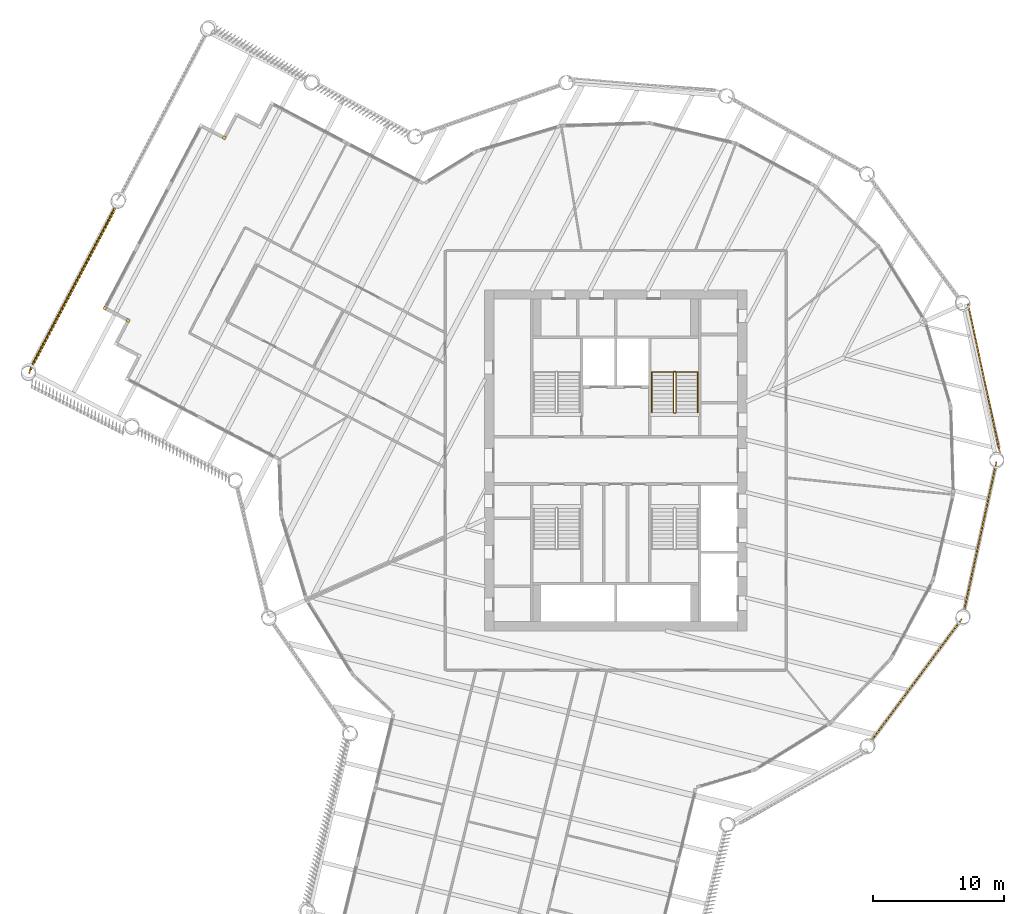
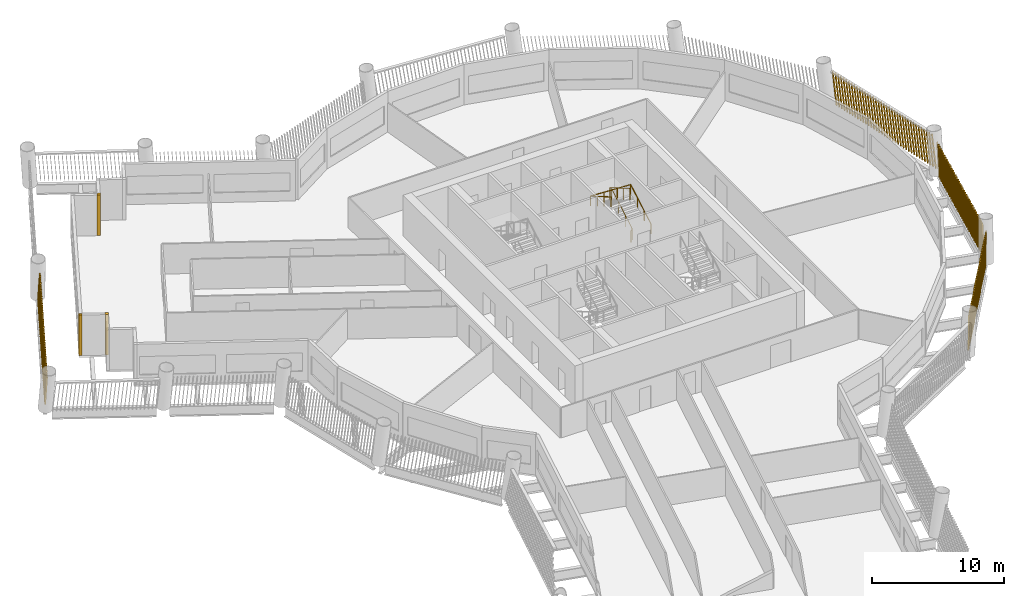
# One storey, part 13 of 15: 7 shading devices, 2 railings.
"""IFC4 building model written with IfcOpenShell, lengths in metres."""

from ifc_helpers import new_model, si_unit, direction, frame, frame_2d, origin, origin_2d, place, context, subcontext, project, spatial, rectangle, circle, composite_profile, extrude, material, type_object, element, save


model = new_model("IFC4")

# Units and contexts
model_context = context("Model", 3, precision=1e-05, world=origin(), true_north=direction((0.0, 1.0)))
body_context = subcontext(model_context, "Body", "Model", "MODEL_VIEW")
ifc_project = project(units=[si_unit("LENGTHUNIT", "METRE"), si_unit("AREAUNIT", "SQUARE_METRE"), si_unit("VOLUMEUNIT", "CUBIC_METRE"), si_unit("PLANEANGLEUNIT", "RADIAN"), si_unit("MASSUNIT", "GRAM", prefix="KILO")], contexts=[model_context])

# Site, building, storey
site_placement = place(None, origin())
site = spatial("IfcSite", under=ifc_project, at=site_placement, CompositionType="ELEMENT")
building_placement = place(site_placement, origin())
building = spatial("IfcBuilding", under=site, at=building_placement, Name="Tarsis Ring Headquarters", CompositionType="ELEMENT")
storey_placement = place(building_placement, frame((0.0, 0.0, 167.10009765625)))
storey = spatial("IfcBuildingStorey", under=building, at=storey_placement, Name="L38", CompositionType="ELEMENT", Elevation=167.10009765625)

# Railings
ifc_material_1 = material(Name="Steel S355", Category="steel")
railing_type_1 = type_object("IfcRailingType", Name="Core stair guard 1100", PredefinedType="GUARDRAIL", material=ifc_material_1)
railing_1_placement = place(storey_placement, frame((4.4599609375, 3.610107421875, 0.0)))
element("IfcRailing", 1, at=railing_1_placement, inside=storey, type_object=railing_type_1, Name="L38 ST2 stair guard 1", PredefinedType="GUARDRAIL", context=body_context, shape_type="SweptSolid", body=[
    extrude(circle(Radius=0.02392578125, at=origin_2d()), frame((0.0, 0.0, 1.076171875), z_axis=(1.0, 0.0, 0.0), x_axis=(0.0, 1.0, 0.0)), (0.0, 0.0, 1.0), 0.080078125),
    extrude(circle(Radius=0.02392578125, at=origin_2d()), frame((0.080078125, 0.0, 1.076171875), z_axis=(0.282693820306, 0.281314826061, 0.917031173188), x_axis=(-0.705375805398, 0.708833529934, 0.0)), (0.0, 0.0, 1.0), 0.177001953125),
    extrude(circle(Radius=0.02392578125, at=origin_2d()), frame((0.130126953125, 0.0498046875, 1.23828125), z_axis=(0.0, 0.864890721111, 0.501960198159), x_axis=(-1.0, 0.0, 0.0)), (0.0, 0.0, 1.0), 3.561279296875),
    extrude(circle(Radius=0.02392578125, at=origin_2d()), frame((0.130126953125, 3.1298828125, 3.02587890625), z_axis=(-0.707106781187, 0.707106781187, 0.0), x_axis=(-0.707106781187, -0.707106781187, 0.0)), (0.0, 0.0, 1.0), 0.07080078125),
    extrude(circle(Radius=0.02392578125, at=origin_2d()), frame((0.080078125, 3.179931640625, 3.02587890625), z_axis=(-1.0, 0.0, 0.0), x_axis=(0.0, -1.0, 0.0)), (0.0, 0.0, 1.0), 0.080078125),
    extrude(circle(Radius=0.02392578125, at=origin_2d()), frame((0.0, 3.179931640625, 3.02587890625), z_axis=(-0.282583949758, -0.282583949758, 0.916674763849), x_axis=(0.707106781187, -0.707106781187, 0.0)), (0.0, 0.0, 1.0), 0.177001953125),
    extrude(circle(Radius=0.02392578125, at=origin_2d()), frame((-0.050048828125, 3.1298828125, 3.1884765625), z_axis=(0.0, -0.864890721111, 0.501960198159), x_axis=(1.0, 0.0, 0.0)), (0.0, 0.0, 1.0), 3.561279296875),
    extrude(circle(Radius=0.02099609375, at=origin_2d()), origin(), (0.0, 0.0, 1.0), 1.052001953125),
    extrude(circle(Radius=0.02099609375, at=origin_2d()), frame((0.080078125, 0.0, 0.0)), (0.0, 0.0, 1.0), 1.052001953125),
    extrude(circle(Radius=0.02099609375, at=origin_2d()), frame((0.130126953125, 0.0498046875, 0.162353515625)), (0.0, 0.0, 1.0), 1.052001953125),
    extrude(circle(Radius=0.02099609375, at=origin_2d()), frame((0.130126953125, 1.076416015625, 0.75830078125)), (0.0, 0.0, 1.0), 1.052001953125),
    extrude(circle(Radius=0.02099609375, at=origin_2d()), frame((0.130126953125, 2.103271484375, 1.35400390625)), (0.0, 0.0, 1.0), 1.052001953125),
    extrude(circle(Radius=0.02099609375, at=origin_2d()), frame((0.130126953125, 3.1298828125, 1.949951171875)), (0.0, 0.0, 1.0), 1.052001953125),
    extrude(circle(Radius=0.02099609375, at=origin_2d()), frame((0.080078125, 3.179931640625, 1.949951171875)), (0.0, 0.0, 1.0), 1.052001953125),
    extrude(circle(Radius=0.02099609375, at=origin_2d()), frame((0.0, 3.179931640625, 1.949951171875)), (0.0, 0.0, 1.0), 1.052001953125),
    extrude(circle(Radius=0.02099609375, at=origin_2d()), frame((-0.050048828125, 3.1298828125, 2.1123046875)), (0.0, 0.0, 1.0), 1.052001953125),
    extrude(circle(Radius=0.02099609375, at=origin_2d()), frame((-0.050048828125, 2.103271484375, 2.708251953125)), (0.0, 0.0, 1.0), 1.052001953125),
    extrude(circle(Radius=0.02099609375, at=origin_2d()), frame((-0.050048828125, 1.076416015625, 3.303955078125)), (0.0, 0.0, 1.0), 1.052001953125),
    extrude(circle(Radius=0.02099609375, at=origin_2d()), frame((-0.050048828125, 0.0498046875, 3.89990234375)), (0.0, 0.0, 1.0), 1.052001953125),
])
railing_type_2 = type_object("IfcRailingType", Name="Core stair handrail 900", PredefinedType="HANDRAIL", material=ifc_material_1)
railing_2_placement = place(storey_placement, frame((6.25, 3.659912109375, 0.162353515625)))
element("IfcRailing", 2, at=railing_2_placement, inside=storey, type_object=railing_type_2, Name="L38 ST2 stair handrail 1", PredefinedType="HANDRAIL", context=body_context, shape_type="SweptSolid", body=[
    extrude(circle(Radius=0.02392578125, at=origin_2d()), frame((0.0, 0.0, 0.8759765625), z_axis=(0.0, 0.864890721111, 0.501960198159), x_axis=(-1.0, 0.0, 0.0)), (0.0, 0.0, 1.0), 3.561279296875),
    extrude(circle(Radius=0.02392578125, at=origin_2d()), frame((0.0, 3.080078125, 2.66357421875), z_axis=(-0.998925869279, 0.0, 0.04633689335), x_axis=(0.0, -1.0, 0.0)), (0.0, 0.0, 1.0), 3.503662109375),
    extrude(circle(Radius=0.02392578125, at=origin_2d()), frame((-3.5, 3.080078125, 2.82568359375), z_axis=(0.0, -0.864890721111, 0.501960198159), x_axis=(1.0, 0.0, 0.0)), (0.0, 0.0, 1.0), 3.561279296875),
    extrude(circle(Radius=0.02099609375, at=origin_2d()), origin(), (0.0, 0.0, 1.0), 0.851806640625),
    extrude(circle(Radius=0.02099609375, at=origin_2d()), frame((0.0, 1.026611328125, 0.595947265625)), (0.0, 0.0, 1.0), 0.851806640625),
    extrude(circle(Radius=0.02099609375, at=origin_2d()), frame((0.0, 2.053466796875, 1.191650390625)), (0.0, 0.0, 1.0), 0.851806640625),
    extrude(circle(Radius=0.02099609375, at=origin_2d()), frame((0.0, 3.080078125, 1.78759765625)), (0.0, 0.0, 1.0), 0.851806640625),
    extrude(circle(Radius=0.02099609375, at=origin_2d()), frame((-1.166748046875, 3.080078125, 1.841796875)), (0.0, 0.0, 1.0), 0.851806640625),
    extrude(circle(Radius=0.02099609375, at=origin_2d()), frame((-2.333251953125, 3.080078125, 1.895751953125)), (0.0, 0.0, 1.0), 0.851806640625),
    extrude(circle(Radius=0.02099609375, at=origin_2d()), frame((-3.5, 3.080078125, 1.949951171875)), (0.0, 0.0, 1.0), 0.851806640625),
    extrude(circle(Radius=0.02099609375, at=origin_2d()), frame((-3.5, 2.053466796875, 2.5458984375)), (0.0, 0.0, 1.0), 0.851806640625),
    extrude(circle(Radius=0.02099609375, at=origin_2d()), frame((-3.5, 1.026611328125, 3.1416015625)), (0.0, 0.0, 1.0), 0.851806640625),
    extrude(circle(Radius=0.02099609375, at=origin_2d()), frame((-3.5, 0.0, 3.737548828125)), (0.0, 0.0, 1.0), 0.851806640625),
])

# Shading devices
ifc_material_2 = material(Name="Terracotta baguette", Category="masonry")
shading_device_type_1 = type_object("IfcShadingDeviceType", Name="Terracotta baguette screen", PredefinedType="USERDEFINED", material=ifc_material_2)
shading_device_1_placement = place(storey_placement, frame((19.43701171875, -21.450927734375, 0.0), z_axis=(0.0, 0.0, 1.0), x_axis=(0.596440586001, 0.802647856755, 0.0)))
element("IfcShadingDevice", 3, at=shading_device_1_placement, inside=storey, type_object=shading_device_type_1, Name="Baguette screen L38-08", ObjectType="Terracotta baguette screen", PredefinedType="USERDEFINED", context=body_context, shape_type="SweptSolid", body=[
    extrude(composite_profile([rectangle(XDim=0.06005859375, YDim=0.1201171875, at=frame_2d((0.030029296875, 0.0))), rectangle(XDim=0.06005859375, YDim=0.1201171875, at=frame_2d((0.33251953125, 0.0))), rectangle(XDim=0.06005859375, YDim=0.1201171875, at=frame_2d((0.634765625, 0.0))), rectangle(XDim=0.06005859375, YDim=0.1201171875, at=frame_2d((0.937255859375, 0.0))), rectangle(XDim=0.06005859375, YDim=0.1201171875, at=frame_2d((1.239501953125, 0.0))), rectangle(XDim=0.06005859375, YDim=0.1201171875, at=frame_2d((1.5419921875, 0.0))), rectangle(XDim=0.06005859375, YDim=0.1201171875, at=frame_2d((1.844482421875, 0.0))), rectangle(XDim=0.06005859375, YDim=0.1201171875, at=frame_2d((2.146728515625, 0.0))), rectangle(XDim=0.06005859375, YDim=0.1201171875, at=frame_2d((2.44921875, 0.0))), rectangle(XDim=0.06005859375, YDim=0.1201171875, at=frame_2d((2.751708984375, 0.0))), rectangle(XDim=0.06005859375, YDim=0.1201171875, at=frame_2d((3.053955078125, 0.0))), rectangle(XDim=0.06005859375, YDim=0.1201171875, at=frame_2d((3.3564453125, 0.0))), rectangle(XDim=0.06005859375, YDim=0.1201171875, at=frame_2d((3.65869140625, 0.0))), rectangle(XDim=0.06005859375, YDim=0.1201171875, at=frame_2d((3.961181640625, 0.0))), rectangle(XDim=0.06005859375, YDim=0.1201171875, at=frame_2d((4.263671875, 0.0))), rectangle(XDim=0.06005859375, YDim=0.1201171875, at=frame_2d((4.56591796875, 0.0))), rectangle(XDim=0.06005859375, YDim=0.1201171875, at=frame_2d((4.868408203125, 0.0))), rectangle(XDim=0.06005859375, YDim=0.1201171875, at=frame_2d((5.1708984375, 0.0))), rectangle(XDim=0.06005859375, YDim=0.1201171875, at=frame_2d((5.47314453125, 0.0))), rectangle(XDim=0.06005859375, YDim=0.1201171875, at=frame_2d((5.775634765625, 0.0))), rectangle(XDim=0.06005859375, YDim=0.1201171875, at=frame_2d((6.077880859375, 0.0))), rectangle(XDim=0.06005859375, YDim=0.1201171875, at=frame_2d((6.38037109375, 0.0))), rectangle(XDim=0.06005859375, YDim=0.1201171875, at=frame_2d((6.682861328125, 0.0))), rectangle(XDim=0.06005859375, YDim=0.1201171875, at=frame_2d((6.985107421875, 0.0))), rectangle(XDim=0.06005859375, YDim=0.1201171875, at=frame_2d((7.28759765625, 0.0))), rectangle(XDim=0.06005859375, YDim=0.1201171875, at=frame_2d((7.590087890625, 0.0))), rectangle(XDim=0.06005859375, YDim=0.1201171875, at=frame_2d((7.892333984375, 0.0))), rectangle(XDim=0.06005859375, YDim=0.1201171875, at=frame_2d((8.19482421875, 0.0))), rectangle(XDim=0.06005859375, YDim=0.1201171875, at=frame_2d((8.4970703125, 0.0))), rectangle(XDim=0.06005859375, YDim=0.1201171875, at=frame_2d((8.799560546875, 0.0))), rectangle(XDim=0.06005859375, YDim=0.1201171875, at=frame_2d((9.10205078125, 0.0))), rectangle(XDim=0.06005859375, YDim=0.1201171875, at=frame_2d((9.404296875, 0.0))), rectangle(XDim=0.06005859375, YDim=0.1201171875, at=frame_2d((9.706787109375, 0.0))), rectangle(XDim=0.06005859375, YDim=0.1201171875, at=frame_2d((10.00927734375, 0.0))), rectangle(XDim=0.06005859375, YDim=0.1201171875, at=frame_2d((10.3115234375, 0.0))), rectangle(XDim=0.06005859375, YDim=0.1201171875, at=frame_2d((10.614013671875, 0.0))), rectangle(XDim=0.06005859375, YDim=0.1201171875, at=frame_2d((10.916259765625, 0.0))), rectangle(XDim=0.06005859375, YDim=0.1201171875, at=frame_2d((11.21875, 0.0)))]), origin(), (0.149494536705, 0.001172506978, 0.988761856426), 2.9833984375),
])
shading_device_2_placement = place(storey_placement, frame((26.55078125, -11.5322265625, 0.0), z_axis=(0.0, 0.0, 1.0), x_axis=(0.21258817146, 0.977145957678, 0.0)))
element("IfcShadingDevice", 4, at=shading_device_2_placement, inside=storey, type_object=shading_device_type_1, Name="Baguette screen L38-09", ObjectType="Terracotta baguette screen", PredefinedType="USERDEFINED", context=body_context, shape_type="SweptSolid", body=[
    extrude(composite_profile([rectangle(XDim=0.06005859375, YDim=0.1201171875, at=frame_2d((0.030029296875, 0.0))), rectangle(XDim=0.06005859375, YDim=0.1201171875, at=frame_2d((0.33251953125, 0.0))), rectangle(XDim=0.06005859375, YDim=0.1201171875, at=frame_2d((0.634765625, 0.0))), rectangle(XDim=0.06005859375, YDim=0.1201171875, at=frame_2d((0.937255859375, 0.0))), rectangle(XDim=0.06005859375, YDim=0.1201171875, at=frame_2d((1.239501953125, 0.0))), rectangle(XDim=0.06005859375, YDim=0.1201171875, at=frame_2d((1.5419921875, 0.0))), rectangle(XDim=0.06005859375, YDim=0.1201171875, at=frame_2d((1.844482421875, 0.0))), rectangle(XDim=0.06005859375, YDim=0.1201171875, at=frame_2d((2.146728515625, 0.0))), rectangle(XDim=0.06005859375, YDim=0.1201171875, at=frame_2d((2.44921875, 0.0))), rectangle(XDim=0.06005859375, YDim=0.1201171875, at=frame_2d((2.751708984375, 0.0))), rectangle(XDim=0.06005859375, YDim=0.1201171875, at=frame_2d((3.053955078125, 0.0))), rectangle(XDim=0.06005859375, YDim=0.1201171875, at=frame_2d((3.3564453125, 0.0))), rectangle(XDim=0.06005859375, YDim=0.1201171875, at=frame_2d((3.65869140625, 0.0))), rectangle(XDim=0.06005859375, YDim=0.1201171875, at=frame_2d((3.961181640625, 0.0))), rectangle(XDim=0.06005859375, YDim=0.1201171875, at=frame_2d((4.263671875, 0.0))), rectangle(XDim=0.06005859375, YDim=0.1201171875, at=frame_2d((4.56591796875, 0.0))), rectangle(XDim=0.06005859375, YDim=0.1201171875, at=frame_2d((4.868408203125, 0.0))), rectangle(XDim=0.06005859375, YDim=0.1201171875, at=frame_2d((5.1708984375, 0.0))), rectangle(XDim=0.06005859375, YDim=0.1201171875, at=frame_2d((5.47314453125, 0.0))), rectangle(XDim=0.06005859375, YDim=0.1201171875, at=frame_2d((5.775634765625, 0.0))), rectangle(XDim=0.06005859375, YDim=0.1201171875, at=frame_2d((6.077880859375, 0.0))), rectangle(XDim=0.06005859375, YDim=0.1201171875, at=frame_2d((6.38037109375, 0.0))), rectangle(XDim=0.06005859375, YDim=0.1201171875, at=frame_2d((6.682861328125, 0.0))), rectangle(XDim=0.06005859375, YDim=0.1201171875, at=frame_2d((6.985107421875, 0.0))), rectangle(XDim=0.06005859375, YDim=0.1201171875, at=frame_2d((7.28759765625, 0.0))), rectangle(XDim=0.06005859375, YDim=0.1201171875, at=frame_2d((7.590087890625, 0.0))), rectangle(XDim=0.06005859375, YDim=0.1201171875, at=frame_2d((7.892333984375, 0.0))), rectangle(XDim=0.06005859375, YDim=0.1201171875, at=frame_2d((8.19482421875, 0.0))), rectangle(XDim=0.06005859375, YDim=0.1201171875, at=frame_2d((8.4970703125, 0.0))), rectangle(XDim=0.06005859375, YDim=0.1201171875, at=frame_2d((8.799560546875, 0.0))), rectangle(XDim=0.06005859375, YDim=0.1201171875, at=frame_2d((9.10205078125, 0.0))), rectangle(XDim=0.06005859375, YDim=0.1201171875, at=frame_2d((9.404296875, 0.0))), rectangle(XDim=0.06005859375, YDim=0.1201171875, at=frame_2d((9.706787109375, 0.0))), rectangle(XDim=0.06005859375, YDim=0.1201171875, at=frame_2d((10.00927734375, 0.0))), rectangle(XDim=0.06005859375, YDim=0.1201171875, at=frame_2d((10.3115234375, 0.0))), rectangle(XDim=0.06005859375, YDim=0.1201171875, at=frame_2d((10.614013671875, 0.0))), rectangle(XDim=0.06005859375, YDim=0.1201171875, at=frame_2d((10.916259765625, 0.0))), rectangle(XDim=0.06005859375, YDim=0.1201171875, at=frame_2d((11.21875, 0.0)))]), origin(), (0.149496428586, 0.001174766168, 0.988761567702), 2.9833984375),
])
shading_device_3_placement = place(storey_placement, frame((29.310546875, 0.515380859375, 0.0), z_axis=(0.0, 0.0, 1.0), x_axis=(-0.209072164948, 0.977905588714, 0.0)))
element("IfcShadingDevice", 5, at=shading_device_3_placement, inside=storey, type_object=shading_device_type_1, Name="Baguette screen L38-10", ObjectType="Terracotta baguette screen", PredefinedType="USERDEFINED", context=body_context, shape_type="SweptSolid", body=[
    extrude(composite_profile([rectangle(XDim=0.06005859375, YDim=0.1201171875, at=frame_2d((0.030029296875, 0.0))), rectangle(XDim=0.06005859375, YDim=0.1201171875, at=frame_2d((0.33251953125, 0.0))), rectangle(XDim=0.06005859375, YDim=0.1201171875, at=frame_2d((0.634765625, 0.0))), rectangle(XDim=0.06005859375, YDim=0.1201171875, at=frame_2d((0.937255859375, 0.0))), rectangle(XDim=0.06005859375, YDim=0.1201171875, at=frame_2d((1.239501953125, 0.0))), rectangle(XDim=0.06005859375, YDim=0.1201171875, at=frame_2d((1.5419921875, 0.0))), rectangle(XDim=0.06005859375, YDim=0.1201171875, at=frame_2d((1.844482421875, 0.0))), rectangle(XDim=0.06005859375, YDim=0.1201171875, at=frame_2d((2.146728515625, 0.0))), rectangle(XDim=0.06005859375, YDim=0.1201171875, at=frame_2d((2.44921875, 0.0))), rectangle(XDim=0.06005859375, YDim=0.1201171875, at=frame_2d((2.751708984375, 0.0))), rectangle(XDim=0.06005859375, YDim=0.1201171875, at=frame_2d((3.053955078125, 0.0))), rectangle(XDim=0.06005859375, YDim=0.1201171875, at=frame_2d((3.3564453125, 0.0))), rectangle(XDim=0.06005859375, YDim=0.1201171875, at=frame_2d((3.65869140625, 0.0))), rectangle(XDim=0.06005859375, YDim=0.1201171875, at=frame_2d((3.961181640625, 0.0))), rectangle(XDim=0.06005859375, YDim=0.1201171875, at=frame_2d((4.263671875, 0.0))), rectangle(XDim=0.06005859375, YDim=0.1201171875, at=frame_2d((4.56591796875, 0.0))), rectangle(XDim=0.06005859375, YDim=0.1201171875, at=frame_2d((4.868408203125, 0.0))), rectangle(XDim=0.06005859375, YDim=0.1201171875, at=frame_2d((5.1708984375, 0.0))), rectangle(XDim=0.06005859375, YDim=0.1201171875, at=frame_2d((5.47314453125, 0.0))), rectangle(XDim=0.06005859375, YDim=0.1201171875, at=frame_2d((5.775634765625, 0.0))), rectangle(XDim=0.06005859375, YDim=0.1201171875, at=frame_2d((6.077880859375, 0.0))), rectangle(XDim=0.06005859375, YDim=0.1201171875, at=frame_2d((6.38037109375, 0.0))), rectangle(XDim=0.06005859375, YDim=0.1201171875, at=frame_2d((6.682861328125, 0.0))), rectangle(XDim=0.06005859375, YDim=0.1201171875, at=frame_2d((6.985107421875, 0.0))), rectangle(XDim=0.06005859375, YDim=0.1201171875, at=frame_2d((7.28759765625, 0.0))), rectangle(XDim=0.06005859375, YDim=0.1201171875, at=frame_2d((7.590087890625, 0.0))), rectangle(XDim=0.06005859375, YDim=0.1201171875, at=frame_2d((7.892333984375, 0.0))), rectangle(XDim=0.06005859375, YDim=0.1201171875, at=frame_2d((8.19482421875, 0.0))), rectangle(XDim=0.06005859375, YDim=0.1201171875, at=frame_2d((8.4970703125, 0.0))), rectangle(XDim=0.06005859375, YDim=0.1201171875, at=frame_2d((8.799560546875, 0.0))), rectangle(XDim=0.06005859375, YDim=0.1201171875, at=frame_2d((9.10205078125, 0.0))), rectangle(XDim=0.06005859375, YDim=0.1201171875, at=frame_2d((9.404296875, 0.0))), rectangle(XDim=0.06005859375, YDim=0.1201171875, at=frame_2d((9.706787109375, 0.0))), rectangle(XDim=0.06005859375, YDim=0.1201171875, at=frame_2d((10.00927734375, 0.0))), rectangle(XDim=0.06005859375, YDim=0.1201171875, at=frame_2d((10.3115234375, 0.0))), rectangle(XDim=0.06005859375, YDim=0.1201171875, at=frame_2d((10.614013671875, 0.0))), rectangle(XDim=0.06005859375, YDim=0.1201171875, at=frame_2d((10.916259765625, 0.0))), rectangle(XDim=0.06005859375, YDim=0.1201171875, at=frame_2d((11.21875, 0.0)))]), origin(), (0.151425975982, 0.001191420418, 0.988467882288), 2.984375),
])
shading_device_4_placement = place(storey_placement, frame((-38.10693359375, 19.492431640625, 0.0), z_axis=(0.0, 0.0, 1.0), x_axis=(-0.465766753945, -0.884916141816, 0.0)))
element("IfcShadingDevice", 6, at=shading_device_4_placement, inside=storey, type_object=shading_device_type_1, Name="Baguette screen L38-18", ObjectType="Terracotta baguette screen", PredefinedType="USERDEFINED", context=body_context, shape_type="SweptSolid", body=[
    extrude(composite_profile([rectangle(XDim=0.06005859375, YDim=0.1201171875, at=frame_2d((0.030029296875, 0.0))), rectangle(XDim=0.06005859375, YDim=0.1201171875, at=frame_2d((0.33544921875, 0.0))), rectangle(XDim=0.06005859375, YDim=0.1201171875, at=frame_2d((0.640625, 0.0))), rectangle(XDim=0.06005859375, YDim=0.1201171875, at=frame_2d((0.946044921875, 0.0))), rectangle(XDim=0.06005859375, YDim=0.1201171875, at=frame_2d((1.25146484375, 0.0))), rectangle(XDim=0.06005859375, YDim=0.1201171875, at=frame_2d((1.556640625, 0.0))), rectangle(XDim=0.06005859375, YDim=0.1201171875, at=frame_2d((1.862060546875, 0.0))), rectangle(XDim=0.06005859375, YDim=0.1201171875, at=frame_2d((2.16748046875, 0.0))), rectangle(XDim=0.06005859375, YDim=0.1201171875, at=frame_2d((2.47265625, 0.0))), rectangle(XDim=0.06005859375, YDim=0.1201171875, at=frame_2d((2.778076171875, 0.0))), rectangle(XDim=0.06005859375, YDim=0.1201171875, at=frame_2d((3.08349609375, 0.0))), rectangle(XDim=0.06005859375, YDim=0.1201171875, at=frame_2d((3.388671875, 0.0))), rectangle(XDim=0.06005859375, YDim=0.1201171875, at=frame_2d((3.694091796875, 0.0))), rectangle(XDim=0.06005859375, YDim=0.1201171875, at=frame_2d((3.99951171875, 0.0))), rectangle(XDim=0.06005859375, YDim=0.1201171875, at=frame_2d((4.3046875, 0.0))), rectangle(XDim=0.06005859375, YDim=0.1201171875, at=frame_2d((4.610107421875, 0.0))), rectangle(XDim=0.06005859375, YDim=0.1201171875, at=frame_2d((4.91552734375, 0.0))), rectangle(XDim=0.06005859375, YDim=0.1201171875, at=frame_2d((5.220703125, 0.0))), rectangle(XDim=0.06005859375, YDim=0.1201171875, at=frame_2d((5.526123046875, 0.0))), rectangle(XDim=0.06005859375, YDim=0.1201171875, at=frame_2d((5.83154296875, 0.0))), rectangle(XDim=0.06005859375, YDim=0.1201171875, at=frame_2d((6.13671875, 0.0))), rectangle(XDim=0.06005859375, YDim=0.1201171875, at=frame_2d((6.442138671875, 0.0))), rectangle(XDim=0.06005859375, YDim=0.1201171875, at=frame_2d((6.74755859375, 0.0))), rectangle(XDim=0.06005859375, YDim=0.1201171875, at=frame_2d((7.052734375, 0.0))), rectangle(XDim=0.06005859375, YDim=0.1201171875, at=frame_2d((7.358154296875, 0.0))), rectangle(XDim=0.06005859375, YDim=0.1201171875, at=frame_2d((7.66357421875, 0.0))), rectangle(XDim=0.06005859375, YDim=0.1201171875, at=frame_2d((7.96875, 0.0))), rectangle(XDim=0.06005859375, YDim=0.1201171875, at=frame_2d((8.274169921875, 0.0))), rectangle(XDim=0.06005859375, YDim=0.1201171875, at=frame_2d((8.57958984375, 0.0))), rectangle(XDim=0.06005859375, YDim=0.1201171875, at=frame_2d((8.884765625, 0.0))), rectangle(XDim=0.06005859375, YDim=0.1201171875, at=frame_2d((9.190185546875, 0.0))), rectangle(XDim=0.06005859375, YDim=0.1201171875, at=frame_2d((9.49560546875, 0.0))), rectangle(XDim=0.06005859375, YDim=0.1201171875, at=frame_2d((9.80078125, 0.0))), rectangle(XDim=0.06005859375, YDim=0.1201171875, at=frame_2d((10.106201171875, 0.0))), rectangle(XDim=0.06005859375, YDim=0.1201171875, at=frame_2d((10.41162109375, 0.0))), rectangle(XDim=0.06005859375, YDim=0.1201171875, at=frame_2d((10.716796875, 0.0))), rectangle(XDim=0.06005859375, YDim=0.1201171875, at=frame_2d((11.022216796875, 0.0))), rectangle(XDim=0.06005859375, YDim=0.1201171875, at=frame_2d((11.32763671875, 0.0))), rectangle(XDim=0.06005859375, YDim=0.1201171875, at=frame_2d((11.6328125, 0.0))), rectangle(XDim=0.06005859375, YDim=0.1201171875, at=frame_2d((11.938232421875, 0.0))), rectangle(XDim=0.06005859375, YDim=0.1201171875, at=frame_2d((12.24365234375, 0.0))), rectangle(XDim=0.06005859375, YDim=0.1201171875, at=frame_2d((12.548828125, 0.0))), rectangle(XDim=0.06005859375, YDim=0.1201171875, at=frame_2d((12.854248046875, 0.0))), rectangle(XDim=0.06005859375, YDim=0.1201171875, at=frame_2d((13.15966796875, 0.0))), rectangle(XDim=0.06005859375, YDim=0.1201171875, at=frame_2d((13.46484375, 0.0))), rectangle(XDim=0.06005859375, YDim=0.1201171875, at=frame_2d((13.770263671875, 0.0)))]), origin(), (0.221732035501, 0.040131640333, 0.974281456191), 3.02783203125),
])
shading_device_type_2 = type_object("IfcShadingDeviceType", Name="Terracotta corner baguette 250x250", PredefinedType="USERDEFINED", material=ifc_material_2)
for number, where, z_axis, x_axis, name in (
    (7, (-29.847900390625, 24.609619140625, 0.0), (0.0, 0.0, 1.0), (-0.465768941825, -0.884906375178, 0.0), "Corner baguette L38-35"),
    (8, (-38.95361328125, 11.60400390625, 0.0), (0.0, 0.0, 1.0), (-0.465768941825, -0.884906375178, 0.0), "Corner baguette L38-37"),
    (9, (-37.183837890625, 10.67236328125, 0.0), (0.0, 0.0, 1.0), (0.884906375178, -0.465768941825, 0.0), "Corner baguette L38-38"),
):
    element("IfcShadingDevice", number, at=place(storey_placement, frame(where, z_axis=z_axis, x_axis=x_axis)), inside=storey, type_object=shading_device_type_2, Name=name, ObjectType="Terracotta corner baguette", PredefinedType="USERDEFINED", context=body_context, shape_type="SweptSolid", body=[
        extrude(rectangle(XDim=0.25, YDim=0.25, at=origin_2d()), origin(), (0.0, 0.0, 1.0), 3.739990234375),
    ])

save(model, "model.ifc")
